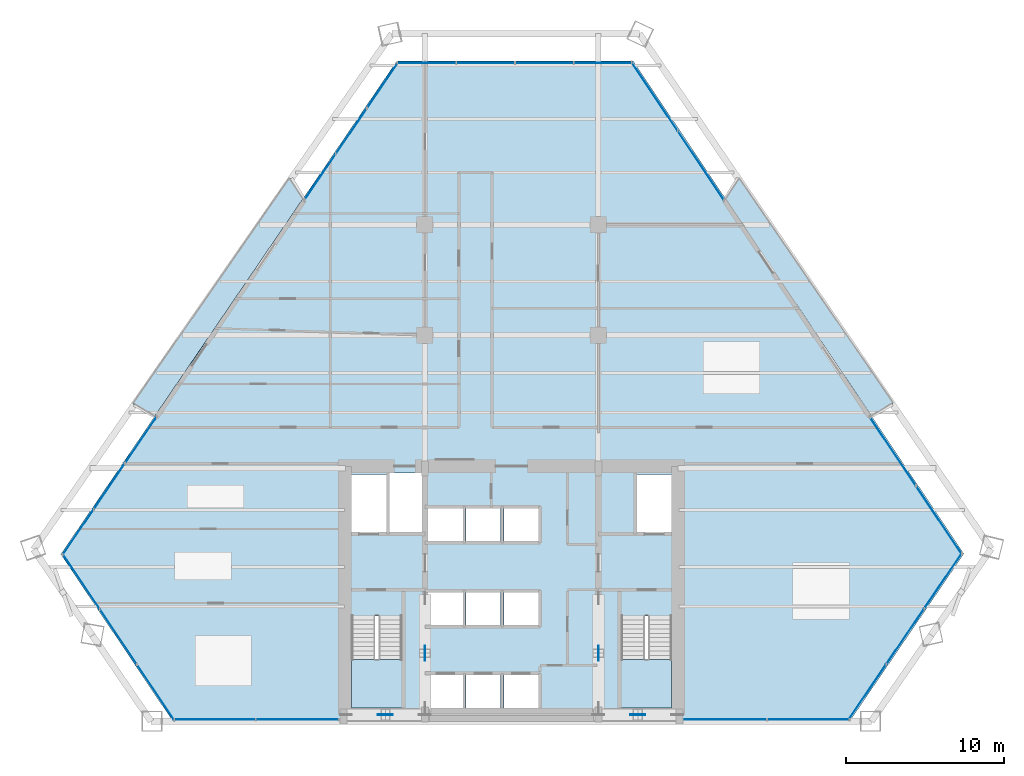
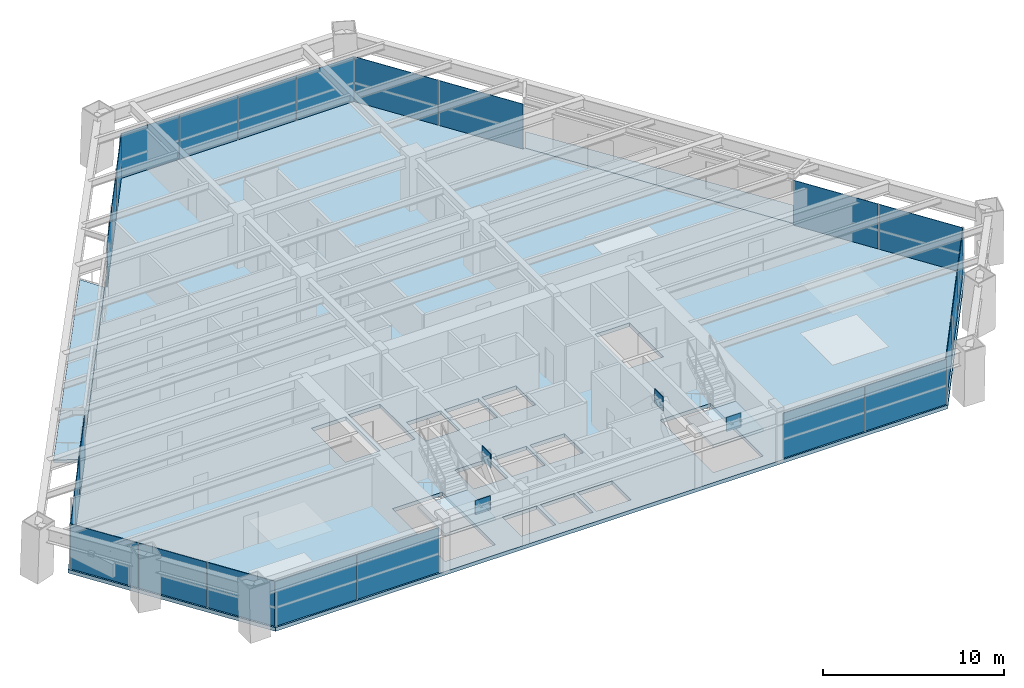
# One storey, part 9 of 14: 28 plates, 5 slabs, 11 elements without a shape of their own.
"""IFC4 building model written with IfcOpenShell, lengths in metres."""

import ifcopenshell
import ifcopenshell.guid

model = None  # the IFC model being written
_history = None  # IfcOwnerHistory: only IFC2X3 demands one
_inside = {}  # id of a spatial element -> (the spatial element, [elements in it])
_under = {}  # id of a project, library or spatial element -> (it, [spatial elements below it])
_declared = {}  # id of a project -> (the project, [libraries it declares])
_typed = {}  # id of a type object -> (the type object, [elements of that type])
_made_of = {}  # id of a material, layer set ... -> (it, [elements and type objects made of it])


def new_model(schema):
    """Start an empty IFC model of exactly this schema.

    Asked for "IFC4X3", IfcOpenShell would pick the latest addendum, in which some entities
    have other attributes; the version numbers below select the first issue.
    IFC2X3 requires an IfcOwnerHistory on every rooted entity: one is made here for all.
    """
    global model, _history
    if schema == "IFC4X3":
        model = ifcopenshell.file(schema_version=(4, 3, 0, 0))
    else:
        model = ifcopenshell.file(schema=schema)
    _inside.clear()
    _under.clear()
    _declared.clear()
    _typed.clear()
    _made_of.clear()
    _history = None
    if model.schema == "IFC2X3":
        org = make("IfcOrganization", Name="unknown")
        user = make(
            "IfcPersonAndOrganization",
            ThePerson=make("IfcPerson", FamilyName="unknown"),
            TheOrganization=org,
        )
        app = make(
            "IfcApplication",
            ApplicationDeveloper=org,
            Version="unknown",
            ApplicationFullName="unknown",
            ApplicationIdentifier="unknown",
        )
        _history = make(
            "IfcOwnerHistory",
            OwningUser=user,
            OwningApplication=app,
            ChangeAction="ADDED",
            CreationDate=0,
        )
    return model


def make(cls, **values):
    """One entity of the class cls with the attributes given. An attribute that is None is left unset."""
    return model.create_entity(
        cls, **{name: value for name, value in values.items() if value is not None}
    )


def rooted(cls, **values):
    """An entity with a GlobalId (a new one), such as an element, a storey or a relation."""
    return make(cls, GlobalId=ifcopenshell.guid.new(), OwnerHistory=_history, **values)


def si_unit(unit_type, name, prefix=None):
    """IfcSIUnit, for example si_unit("LENGTHUNIT", "METRE", prefix="MILLI")."""
    return make("IfcSIUnit", UnitType=unit_type, Prefix=prefix, Name=name)


def assignment(units):
    """IfcUnitAssignment: the units of a project."""
    return None if units is None else make("IfcUnitAssignment", Units=units)


def point(xyz):
    """IfcCartesianPoint."""
    return None if xyz is None else make("IfcCartesianPoint", Coordinates=xyz)


def direction(xyz):
    """IfcDirection."""
    return None if xyz is None else make("IfcDirection", DirectionRatios=xyz)


def frame(location, z_axis=None, x_axis=None):
    """IfcAxis2Placement3D, a coordinate frame: its origin and axes. An axis left out is left unset."""
    return make(
        "IfcAxis2Placement3D",
        Location=point(location),
        Axis=direction(z_axis),
        RefDirection=direction(x_axis),
    )


def frame_2d(location, x_axis=None):
    """IfcAxis2Placement2D, a coordinate frame in the plane: its origin and x axis."""
    return make(
        "IfcAxis2Placement2D", Location=point(location), RefDirection=direction(x_axis)
    )


def origin():
    """The frame at (0, 0, 0) with its axes left unset."""
    return frame((0.0, 0.0, 0.0))


def origin_2d():
    """The frame at (0, 0) in the plane with its x axis left unset."""
    return frame_2d((0.0, 0.0))


def place(relative_to, where):
    """IfcLocalPlacement: puts the frame where relative to a parent placement (None: the world)."""
    return make(
        "IfcLocalPlacement", PlacementRelTo=relative_to, RelativePlacement=where
    )


def context(
    kind, dimensions, precision=None, world=None, true_north=None, identifier=None
):
    """IfcGeometricRepresentationContext, for example the 3D "Model" context."""
    return make(
        "IfcGeometricRepresentationContext",
        ContextIdentifier=identifier,
        ContextType=kind,
        CoordinateSpaceDimension=dimensions,
        Precision=precision,
        WorldCoordinateSystem=world,
        TrueNorth=true_north,
    )


def subcontext(parent, identifier, kind, view, scale=None):
    """IfcGeometricRepresentationSubContext, for example "Body" below "Model"."""
    return make(
        "IfcGeometricRepresentationSubContext",
        ContextIdentifier=identifier,
        ContextType=kind,
        ParentContext=parent,
        TargetScale=scale,
        TargetView=view,
    )


def project(units=None, contexts=None):
    """IfcProject with its units and contexts."""
    return rooted(
        "IfcProject",
        Name="project",
        RepresentationContexts=contexts,
        UnitsInContext=assignment(units),
    )


def spatial(cls, under=None, at=None, **own):
    """A site, building, storey or space (cls), placed at a placement, below another one or the project."""
    s = rooted(cls, ObjectPlacement=at, **own)
    if under is not None:
        _under.setdefault(under.id(), (under, []))[1].append(s)
    return s


def polyline(points):
    """IfcPolyline through the points."""
    return make("IfcPolyline", Points=[point(p) for p in points])


def profile(cls, at=None, kind="AREA", **sizes):
    """A parametric profile (cls). Its sizes go by their IFC names, for example OverallWidth=200.0."""
    return make(cls, ProfileType=kind, Position=at, **sizes)


def rectangle(**sizes):
    """IfcRectangleProfileDef."""
    return profile("IfcRectangleProfileDef", **sizes)


def outline(outer, holes=None, kind="AREA"):
    """IfcArbitraryClosedProfileDef: a profile drawn as a closed curve; with holes, ...WithVoids."""
    if holes is None:
        return make("IfcArbitraryClosedProfileDef", ProfileType=kind, OuterCurve=outer)
    return make(
        "IfcArbitraryProfileDefWithVoids",
        ProfileType=kind,
        OuterCurve=outer,
        InnerCurves=holes,
    )


def extrude(swept, where, along, depth):
    """IfcExtrudedAreaSolid: the profile swept, set in the frame where, extruded along a direction by depth."""
    return make(
        "IfcExtrudedAreaSolid",
        SweptArea=swept,
        Position=where,
        ExtrudedDirection=direction(along),
        Depth=depth,
    )


def shape(context_of_items, identifier, shape_type, items):
    """IfcShapeRepresentation: the items that make up one representation, for example the "Body"."""
    return make(
        "IfcShapeRepresentation",
        ContextOfItems=context_of_items,
        RepresentationIdentifier=identifier,
        RepresentationType=shape_type,
        Items=items,
    )


def source(mapping_origin, context_of_items, identifier, shape_type, items):
    """IfcRepresentationMap: a shape defined once, which mapped items show again and again."""
    return make(
        "IfcRepresentationMap",
        MappingOrigin=mapping_origin,
        MappedRepresentation=shape(context_of_items, identifier, shape_type, items),
    )


def transform(
    local_origin,
    x_axis=None,
    y_axis=None,
    z_axis=None,
    scale=None,
    scale2=None,
    scale3=None,
    uniform=True,
):
    """IfcCartesianTransformationOperator3D, or its non-uniform kind. x_axis, y_axis, z_axis: its Axis1, 2, 3."""
    if uniform:
        return make(
            "IfcCartesianTransformationOperator3D",
            Axis1=direction(x_axis),
            Axis2=direction(y_axis),
            LocalOrigin=point(local_origin),
            Scale=scale,
            Axis3=direction(z_axis),
        )
    return make(
        "IfcCartesianTransformationOperator3DnonUniform",
        Axis1=direction(x_axis),
        Axis2=direction(y_axis),
        LocalOrigin=point(local_origin),
        Scale=scale,
        Axis3=direction(z_axis),
        Scale2=scale2,
        Scale3=scale3,
    )


def mapped(mapping_source, mapping_target):
    """IfcMappedItem: shows the shape of a source again, moved by a transform."""
    return make(
        "IfcMappedItem", MappingSource=mapping_source, MappingTarget=mapping_target
    )


def material(Name=None, Category=None):
    """IfcMaterial."""
    return make("IfcMaterial", Name=Name, Category=Category)


def layer(
    of_material, thickness, ventilated=None, Name=None, Category=None, Priority=None
):
    """IfcMaterialLayer: one layer of a wall or slab, of a material (None: an air gap)."""
    return make(
        "IfcMaterialLayer",
        Material=of_material,
        LayerThickness=thickness,
        IsVentilated=ventilated,
        Name=Name,
        Category=Category,
        Priority=Priority,
    )


def layer_set(layers, Name=None):
    """IfcMaterialLayerSet."""
    return make("IfcMaterialLayerSet", MaterialLayers=layers, LayerSetName=Name)


def made_of(thing, what):
    """Note that an element or type object is made of a material, layer set ...; save() writes the relation."""
    if what is not None:
        _made_of.setdefault(what.id(), (what, []))[1].append(thing)
    return thing


def type_object(cls, material=None, **own):
    """A type object (cls), such as IfcWallType, which elements share."""
    return made_of(rooted(cls, **own), material)


def element(
    cls,
    number,
    at=None,
    inside=None,
    cuts=None,
    type_object=None,
    material=None,
    context=None,
    identifier="Body",
    shape_type=None,
    held_by="IfcProductDefinitionShape",
    body=None,
    shapes=None,
    **own,
):
    """One element of the class cls, such as IfcWall. Its Tag is "e" and its number.

    at: its placement. inside: the storey or other place that contains it. cuts: it is an
    opening in that element (IfcRelVoidsElement). A single representation is given by context,
    identifier, shape_type and body (its items); several are given by shapes. held_by: the class
    of the entity that holds the representations. save() writes the other relations.
    """
    e = rooted(cls, Tag="e%d" % number, ObjectPlacement=at, **own)
    if body is not None:
        shapes = [shape(context, identifier, shape_type, body)]
    if shapes is not None:
        e.Representation = make(held_by, Representations=shapes)
    if inside is not None:
        _inside.setdefault(inside.id(), (inside, []))[1].append(e)
    if cuts is not None:
        rooted(
            "IfcRelVoidsElement", RelatingBuildingElement=cuts, RelatedOpeningElement=e
        )
    if type_object is not None:
        _typed.setdefault(type_object.id(), (type_object, []))[1].append(e)
    return made_of(e, material)


def aggregate(whole, parts):
    """IfcRelAggregates: a whole, such as a stair, and the parts it consists of."""
    return rooted("IfcRelAggregates", RelatingObject=whole, RelatedObjects=parts)


def save(model, path):
    """Write the relations noted so far, then the file.

    IfcRelAggregates (storeys below a building ...), IfcRelContainedInSpatialStructure (elements
    in a storey), IfcRelDefinesByType, IfcRelAssociatesMaterial and IfcRelDeclares: one each for
    every whole, place, type object, material and project.
    """
    for whole, parts in _under.values():
        aggregate(whole, parts)
    for where, things in _inside.values():
        rooted(
            "IfcRelContainedInSpatialStructure",
            RelatedElements=things,
            RelatingStructure=where,
        )
    for kind, things in _typed.values():
        rooted("IfcRelDefinesByType", RelatedObjects=things, RelatingType=kind)
    for what, things in _made_of.values():
        rooted("IfcRelAssociatesMaterial", RelatedObjects=things, RelatingMaterial=what)
    for by, libraries in _declared.values():
        rooted("IfcRelDeclares", RelatingContext=by, RelatedDefinitions=libraries)
    model.write(path)


model = new_model("IFC4")

# Units and contexts
model_context = context("Model", 3, precision=1e-05, world=origin(), true_north=direction((0.0, 1.0)))
body_context = subcontext(model_context, "Body", "Model", "MODEL_VIEW")
ifc_project = project(units=[si_unit("LENGTHUNIT", "METRE"), si_unit("AREAUNIT", "SQUARE_METRE"), si_unit("VOLUMEUNIT", "CUBIC_METRE"), si_unit("PLANEANGLEUNIT", "RADIAN"), si_unit("MASSUNIT", "GRAM", prefix="KILO")], contexts=[model_context])

# Site, building, storey
site_placement = place(None, origin())
site = spatial("IfcSite", under=ifc_project, at=site_placement, CompositionType="ELEMENT")
building_placement = place(site_placement, origin())
building = spatial("IfcBuilding", under=site, at=building_placement, Name="Varnakhor Terracotta Tower", CompositionType="ELEMENT")
storey_placement = place(building_placement, frame((0.0, 0.0, 46.0)))
storey = spatial("IfcBuildingStorey", under=building, at=storey_placement, Name="L10", CompositionType="ELEMENT", Elevation=46.0)

# Stair, slab
ifc_material_1 = material(Name="Concrete C40/50", Category="concrete")
stair_type = type_object("IfcStairType", Name="STR-CORE-OFFICE-1500", PredefinedType="HALF_TURN_STAIR", material=ifc_material_1)
stair_1_placement = place(storey_placement, origin())
stair_1 = element("IfcStair", 1, at=stair_1_placement, inside=storey, type_object=stair_type, Name="L10 Core Exit Stair ST-1", PredefinedType="HALF_TURN_STAIR")
ifc_layer_1 = layer(ifc_material_1, 0.179931640625, Name="Concrete C40/50")
ifc_layer_set_1 = layer_set([ifc_layer_1], Name="Concrete C40/50")
slab_type_1 = type_object("IfcSlabType", Name="SLB-LANDING-180", PredefinedType="LANDING", material=ifc_layer_set_1)
slab_1_placement = place(storey_placement, frame((0.0, 0.0, 1.64990234375)))
slab_1 = element("IfcSlab", 2, at=slab_1_placement, type_object=slab_type_1, Name="ST-1 landing 1", PredefinedType="LANDING", context=body_context, shape_type="SweptSolid", body=[
    extrude(outline(polyline([(-10.14990234375, 3.909912109375), (-10.14990234375, 0.85009765625), (-6.949951171875, 0.85009765625), (-6.949951171875, 3.909912109375), (-10.14990234375, 3.909912109375)])), origin(), (0.0, 0.0, 1.0), 0.2001953125),
])
aggregate(stair_1, [slab_1])

stair_2_placement = place(storey_placement, origin())
stair_2 = element("IfcStair", 3, at=stair_2_placement, inside=storey, type_object=stair_type, Name="L10 Core Exit Stair ST-2", PredefinedType="HALF_TURN_STAIR")
slab_2_placement = place(storey_placement, frame((0.0, 0.0, 1.64990234375)))
slab_2 = element("IfcSlab", 4, at=slab_2_placement, type_object=slab_type_1, Name="ST-2 landing 1", PredefinedType="LANDING", context=body_context, shape_type="SweptSolid", body=[
    extrude(outline(polyline([(6.949951171875, 3.909912109375), (6.949951171875, 0.85009765625), (10.14990234375, 0.85009765625), (10.14990234375, 3.909912109375), (6.949951171875, 3.909912109375)])), origin(), (0.0, 0.0, 1.0), 0.2001953125),
])
aggregate(stair_2, [slab_2])

# Slabs
ifc_layer_2 = layer(ifc_material_1, 0.195068359375, Name="Concrete C40/50")
ifc_layer_set_2 = layer_set([ifc_layer_2], Name="Concrete C40/50")
slab_type_2 = type_object("IfcSlabType", Name="SLB-LOGGIA-EXT-195", PredefinedType="FLOOR", material=ifc_layer_set_2)
slab_3_placement = place(storey_placement, frame((0.0, 0.0, -0.195068359375)))
element("IfcSlab", 5, at=slab_3_placement, inside=storey, type_object=slab_type_2, Name="L10 E Recessed Outdoor Loggia Slab", PredefinedType="FLOOR", context=body_context, shape_type="SweptSolid", body=[
    extrude(outline(polyline([(14.40087890625, 34.4765625), (24.20068359375, 20.169189453125), (22.805908203125, 19.38232421875), (18.191650390625, 26.2568359375), (13.5771484375, 33.131591796875), (14.40087890625, 34.4765625)])), origin(), (0.0, 0.0, 1.0), 0.195068359375),
])
slab_4_placement = place(storey_placement, frame((0.0, 0.0, -0.195068359375)))
element("IfcSlab", 6, at=slab_4_placement, inside=storey, type_object=slab_type_2, Name="L10 W Recessed Outdoor Loggia Slab", PredefinedType="FLOOR", context=body_context, shape_type="SweptSolid", body=[
    extrude(outline(polyline([(-24.02197265625, 20.143798828125), (-14.072021484375, 34.466796875), (-13.247802734375, 33.1220703125), (-20.471435546875, 22.5205078125), (-22.626220703125, 19.35791015625), (-24.02197265625, 20.143798828125)])), origin(), (0.0, 0.0, 1.0), 0.195068359375),
])
ifc_layer_3 = layer(ifc_material_1, 0.25, Name="Concrete C40/50")
ifc_layer_set_3 = layer_set([ifc_layer_3], Name="Concrete C40/50")
slab_type_3 = type_object("IfcSlabType", Name="SLB-OFF-250", PredefinedType="FLOOR", material=ifc_layer_set_3)
slab_5_placement = place(storey_placement, frame((0.0, 0.0, -0.25)))
element("IfcSlab", 7, at=slab_5_placement, inside=storey, type_object=slab_type_3, Name="L10 Structural Floor Slab", PredefinedType="FLOOR", context=body_context, shape_type="SweptSolid", body=[
    extrude(outline(polyline([(-28.593994140625, 10.59912109375), (-7.27978515625, 41.881103515625), (7.704345703125, 41.881103515625), (28.678955078125, 10.6328125), (21.43408203125, 0.0), (-21.479736328125, 0.0), (-28.593994140625, 10.59912109375)]), holes=[polyline([(-3.10009765625, 0.85009765625), (-3.10009765625, 2.949951171875), (-5.300048828125, 2.949951171875), (-5.300048828125, 0.85009765625), (-3.10009765625, 0.85009765625)]), polyline([(-2.8798828125, 0.85009765625), (-0.719970703125, 0.85009765625), (-0.719970703125, 2.949951171875), (-2.8798828125, 2.949951171875), (-2.8798828125, 0.85009765625)]), polyline([(-10.14990234375, 0.85009765625), (-6.949951171875, 0.85009765625), (-6.949951171875, 6.695068359375), (-10.14990234375, 6.695068359375), (-10.14990234375, 0.85009765625)]), polyline([(-5.300048828125, 6.10009765625), (-3.10009765625, 6.10009765625), (-3.10009765625, 8.199951171875), (-5.300048828125, 8.199951171875), (-5.300048828125, 6.10009765625)]), polyline([(-5.300048828125, 11.419921875), (-3.10009765625, 11.419921875), (-3.10009765625, 13.52001953125), (-5.300048828125, 13.52001953125), (-5.300048828125, 11.419921875)]), polyline([(-10.14990234375, 11.8798828125), (-7.949951171875, 11.8798828125), (-7.949951171875, 15.64990234375), (-10.14990234375, 15.64990234375), (-10.14990234375, 11.8798828125)]), polyline([(-7.72998046875, 11.8798828125), (-5.699951171875, 11.8798828125), (-5.699951171875, 15.75), (-7.72998046875, 15.75), (-7.72998046875, 11.8798828125)]), polyline([(1.699951171875, 0.85009765625), (1.699951171875, 2.949951171875), (-0.5, 2.949951171875), (-0.5, 0.85009765625), (1.699951171875, 0.85009765625)]), polyline([(6.949951171875, 0.85009765625), (10.14990234375, 0.85009765625), (10.14990234375, 6.695068359375), (6.949951171875, 6.695068359375), (6.949951171875, 0.85009765625)]), polyline([(-2.8798828125, 6.10009765625), (-0.719970703125, 6.10009765625), (-0.719970703125, 8.199951171875), (-2.8798828125, 8.199951171875), (-2.8798828125, 6.10009765625)]), polyline([(-0.5, 6.10009765625), (1.699951171875, 6.10009765625), (1.699951171875, 8.199951171875), (-0.5, 8.199951171875), (-0.5, 6.10009765625)]), polyline([(-2.8798828125, 11.419921875), (-0.719970703125, 11.419921875), (-0.719970703125, 13.52001953125), (-2.8798828125, 13.52001953125), (-2.8798828125, 11.419921875)]), polyline([(-0.5, 11.419921875), (1.699951171875, 11.419921875), (1.699951171875, 13.52001953125), (-0.5, 13.52001953125), (-0.5, 11.419921875)]), polyline([(7.949951171875, 11.8798828125), (10.14990234375, 11.8798828125), (10.14990234375, 15.64990234375), (7.949951171875, 15.64990234375), (7.949951171875, 11.8798828125)])]), origin(), (0.0, 0.0, 1.0), 0.25),
])

# Plates
ifc_material_2 = material(Name="Steel S460", Category="steel")
ifc_layer_4 = layer(ifc_material_2, 0.050048828125, Name="Steel S460")
ifc_layer_set_4 = layer_set([ifc_layer_4], Name="Steel S460")
plate_type_1 = type_object("IfcPlateType", Name="PLT-GUSSET-50", PredefinedType="USERDEFINED", material=ifc_layer_set_4)
shared_shape_1 = source(origin(), body_context, "Body", "SweptSolid", [
    extrude(rectangle(XDim=0.949951171875, YDim=0.044921875, at=origin_2d()), origin(), (0.0, 0.0, 1.0), 0.949951171875),
])
for number, where, z_axis, x_axis, name in (
    (8, (-8.0, 0.419921875, 2.8251953125), (0.0, 0.0, 1.0), (1.0, 0.0, 0.0), "L10 Core Brace Apex Gusset CSW"),
    (9, (8.0, 0.419921875, 2.8251953125), (0.0, 0.0, 1.0), (1.0, 0.0, 0.0), "L10 Core Brace Apex Gusset CSE"),
    (10, (-5.5, 4.324951171875, 2.8251953125), (0.0, 0.0, 1.0), (0.0, 1.0, 0.0), "L10 Core Brace Apex Gusset CWW"),
    (11, (5.5, 4.324951171875, 2.8251953125), (0.0, 0.0, 1.0), (0.0, 1.0, 0.0), "L10 Core Brace Apex Gusset CWE"),
):
    element("IfcPlate", number, at=place(storey_placement, frame(where, z_axis=z_axis, x_axis=x_axis)), inside=storey, type_object=plate_type_1, Name=name, ObjectType="GUSSET PLATE", PredefinedType="USERDEFINED", context=body_context, shape_type="MappedRepresentation", body=[
        mapped(shared_shape_1, transform((0.0, 0.0, 0.0), scale=1.0)),
    ])

# Curtain wall, plates
ifc_material_3 = material(Name="Anodised Aluminium Curtain Wall System", Category="aluminium")
curtain_wall_type = type_object("IfcCurtainWallType", Name="CW-SYS-LOW-OFFICE", PredefinedType="NOTDEFINED", material=ifc_material_3)
curtain_wall_1_placement = place(storey_placement, origin())
curtain_wall_1 = element("IfcCurtainWall", 12, at=curtain_wall_1_placement, inside=storey, type_object=curtain_wall_type, Name="L10 W Facet Curtain Wall 1", PredefinedType="NOTDEFINED")
ifc_material_4 = material(Name="Solar-Control Low-E Insulated Glass Panel", Category="glass")
ifc_layer_5 = layer(ifc_material_4, 0.0380859375, Name="Solar-Control Low-E Insulated Glass Panel")
ifc_layer_set_5 = layer_set([ifc_layer_5], Name="Solar-Control Low-E Insulated Glass Panel")
plate_type_2 = type_object("IfcPlateType", Name="CWP-02", PredefinedType="CURTAIN_PANEL", material=ifc_layer_set_5)
shared_shape_2 = source(origin(), body_context, "Body", "SweptSolid", [
    extrude(rectangle(XDim=3.472900390625, YDim=0.035888671875, at=origin_2d()), origin(), (0.0, 0.0, 1.0), 3.030029296875),
])
plate_1_placement = place(storey_placement, frame((-27.489013671875, 12.0078125, 0.0), z_axis=(0.0, 0.0, 1.0), x_axis=(0.563079004286, 0.8264030705, 0.0)))
plate_1 = element("IfcPlate", 13, at=plate_1_placement, type_object=plate_type_2, Name="L10 W Facet Curtain Wall 1 Glazed Panel 1", PredefinedType="CURTAIN_PANEL", context=body_context, shape_type="MappedRepresentation", body=[
    mapped(shared_shape_2, transform((0.0, 0.0, 0.0), scale=1.0)),
])
plate_2_placement = place(storey_placement, frame((-25.510986328125, 14.910888671875, 0.0), z_axis=(0.0, 0.0, 1.0), x_axis=(0.563079004286, 0.8264030705, 0.0)))
plate_2 = element("IfcPlate", 14, at=plate_2_placement, type_object=plate_type_2, Name="L10 W Facet Curtain Wall 1 Glazed Panel 2", PredefinedType="CURTAIN_PANEL", context=body_context, shape_type="MappedRepresentation", body=[
    mapped(shared_shape_2, transform((0.0, 0.0, 0.0), scale=1.0)),
])
plate_3_placement = place(storey_placement, frame((-23.53271484375, 17.814208984375, 0.0), z_axis=(0.0, 0.0, 1.0), x_axis=(0.563079004286, 0.8264030705, 0.0)))
plate_3 = element("IfcPlate", 15, at=plate_3_placement, type_object=plate_type_2, Name="L10 W Facet Curtain Wall 1 Glazed Panel 3", PredefinedType="CURTAIN_PANEL", context=body_context, shape_type="MappedRepresentation", body=[
    mapped(shared_shape_2, transform((0.0, 0.0, 0.0), scale=1.0)),
])
aggregate(curtain_wall_1, [plate_1, plate_2, plate_3])

curtain_wall_2_placement = place(storey_placement, origin())
curtain_wall_2 = element("IfcCurtainWall", 16, at=curtain_wall_2_placement, inside=storey, type_object=curtain_wall_type, Name="L10 W Facet Curtain Wall 2", PredefinedType="NOTDEFINED")
plate_4_placement = place(storey_placement, frame((-12.142578125, 34.531005859375, 0.0), z_axis=(0.0, 0.0, 1.0), x_axis=(0.563079004286, 0.8264030705, 0.0)))
plate_4 = element("IfcPlate", 17, at=plate_4_placement, type_object=plate_type_2, Name="L10 W Facet Curtain Wall 2 Glazed Panel 1", PredefinedType="CURTAIN_PANEL", context=body_context, shape_type="MappedRepresentation", body=[
    mapped(shared_shape_2, transform((0.0, 0.0, 0.0), scale=1.0)),
])
plate_5_placement = place(storey_placement, frame((-10.16455078125, 37.433837890625, 0.0), z_axis=(0.0, 0.0, 1.0), x_axis=(0.563079004286, 0.8264030705, 0.0)))
plate_5 = element("IfcPlate", 18, at=plate_5_placement, type_object=plate_type_2, Name="L10 W Facet Curtain Wall 2 Glazed Panel 2", PredefinedType="CURTAIN_PANEL", context=body_context, shape_type="MappedRepresentation", body=[
    mapped(shared_shape_2, transform((0.0, 0.0, 0.0), scale=1.0)),
])
plate_6_placement = place(storey_placement, frame((-8.1865234375, 40.337158203125, 0.0), z_axis=(0.0, 0.0, 1.0), x_axis=(0.563079004286, 0.8264030705, 0.0)))
plate_6 = element("IfcPlate", 19, at=plate_6_placement, type_object=plate_type_2, Name="L10 W Facet Curtain Wall 2 Glazed Panel 3", PredefinedType="CURTAIN_PANEL", context=body_context, shape_type="MappedRepresentation", body=[
    mapped(shared_shape_2, transform((0.0, 0.0, 0.0), scale=1.0)),
])
aggregate(curtain_wall_2, [plate_4, plate_5, plate_6])

curtain_wall_3_placement = place(storey_placement, origin())
curtain_wall_3 = element("IfcCurtainWall", 20, at=curtain_wall_3_placement, inside=storey, type_object=curtain_wall_type, Name="L10 Facet Curtain Wall 2", PredefinedType="NOTDEFINED")
shared_shape_3 = source(origin(), body_context, "Body", "SweptSolid", [
    extrude(rectangle(XDim=3.69091796875, YDim=0.035888671875, at=origin_2d()), origin(), (0.0, 0.0, 1.0), 3.030029296875),
])
plate_7_placement = place(storey_placement, frame((-5.38427734375, 41.760986328125, 0.0), z_axis=(0.0, 0.0, 1.0), x_axis=(1.0, 0.0, 0.0)))
plate_7 = element("IfcPlate", 21, at=plate_7_placement, type_object=plate_type_2, Name="L10 Facet Curtain Wall 2 Glazed Panel 1", PredefinedType="CURTAIN_PANEL", context=body_context, shape_type="MappedRepresentation", body=[
    mapped(shared_shape_3, transform((0.0, 0.0, 0.0), scale=1.0)),
])
plate_8_placement = place(storey_placement, frame((2.077880859375, 41.760986328125, 0.0), z_axis=(0.0, 0.0, 1.0), x_axis=(1.0, 0.0, 0.0)))
plate_8 = element("IfcPlate", 22, at=plate_8_placement, type_object=plate_type_2, Name="L10 Facet Curtain Wall 2 Glazed Panel 3", PredefinedType="CURTAIN_PANEL", context=body_context, shape_type="MappedRepresentation", body=[
    mapped(shared_shape_3, transform((0.0, 0.0, 0.0), scale=1.0)),
])
plate_9_placement = place(storey_placement, frame((5.808837890625, 41.760986328125, 0.0), z_axis=(0.0, 0.0, 1.0), x_axis=(1.0, 0.0, 0.0)))
plate_9 = element("IfcPlate", 23, at=plate_9_placement, type_object=plate_type_2, Name="L10 Facet Curtain Wall 2 Glazed Panel 4", PredefinedType="CURTAIN_PANEL", context=body_context, shape_type="MappedRepresentation", body=[
    mapped(shared_shape_3, transform((0.0, 0.0, 0.0), scale=1.0)),
])
shared_shape_4 = source(origin(), body_context, "Body", "SweptSolid", [
    extrude(rectangle(XDim=3.691162109375, YDim=0.035888671875, at=origin_2d()), origin(), (0.0, 0.0, 1.0), 3.030029296875),
])
plate_10_placement = place(storey_placement, frame((-1.6533203125, 41.760986328125, 0.0), z_axis=(0.0, 0.0, 1.0), x_axis=(1.0, 0.0, 0.0)))
plate_10 = element("IfcPlate", 24, at=plate_10_placement, type_object=plate_type_2, Name="L10 Facet Curtain Wall 2 Glazed Panel 2", PredefinedType="CURTAIN_PANEL", context=body_context, shape_type="MappedRepresentation", body=[
    mapped(shared_shape_4, transform((0.0, 0.0, 0.0), scale=1.0)),
])
aggregate(curtain_wall_3, [plate_7, plate_10, plate_8, plate_9])

# Curtain wall, plate
curtain_wall_4_placement = place(storey_placement, origin())
curtain_wall_4 = element("IfcCurtainWall", 25, at=curtain_wall_4_placement, inside=storey, type_object=curtain_wall_type, Name="L10 E Facet Curtain Wall 1", PredefinedType="NOTDEFINED")
shared_shape_5 = source(origin(), body_context, "Body", "SweptSolid", [
    extrude(rectangle(XDim=5.19873046875, YDim=0.035888671875, at=origin_2d()), origin(), (0.0, 0.0, 1.0), 3.030029296875),
])
plate_11_placement = place(storey_placement, frame((9.081298828125, 39.6142578125, 0.0), z_axis=(0.0, 0.0, 1.0), x_axis=(0.557324930586, -0.830294478933, 0.0)))
plate_11 = element("IfcPlate", 26, at=plate_11_placement, type_object=plate_type_2, Name="L10 E Facet Curtain Wall 1 Glazed Panel 1", PredefinedType="CURTAIN_PANEL", context=body_context, shape_type="MappedRepresentation", body=[
    mapped(shared_shape_5, transform((0.0, 0.0, 0.0), scale=1.0)),
])

curtain_wall_5_placement = place(storey_placement, origin())
curtain_wall_5 = element("IfcCurtainWall", 27, at=curtain_wall_5_placement, inside=storey, type_object=curtain_wall_type, Name="L10 E Facet Curtain Wall 2", PredefinedType="NOTDEFINED")
plate_12_placement = place(storey_placement, frame((24.182861328125, 17.115478515625, 0.0), z_axis=(0.0, 0.0, 1.0), x_axis=(0.557324930586, -0.830294478933, 0.0)))
plate_12 = element("IfcPlate", 28, at=plate_12_placement, type_object=plate_type_2, Name="L10 E Facet Curtain Wall 2 Glazed Panel 1", PredefinedType="CURTAIN_PANEL", context=body_context, shape_type="MappedRepresentation", body=[
    mapped(shared_shape_5, transform((0.0, 0.0, 0.0), scale=1.0)),
])

# Plate
shared_shape_6 = source(origin(), body_context, "Body", "SweptSolid", [
    extrude(rectangle(XDim=5.198974609375, YDim=0.035888671875, at=origin_2d()), origin(), (0.0, 0.0, 1.0), 3.030029296875),
])
plate_13_placement = place(storey_placement, frame((12.0009765625, 35.264404296875, 0.0), z_axis=(0.0, 0.0, 1.0), x_axis=(0.557324930586, -0.830294478933, 0.0)))
plate_13 = element("IfcPlate", 29, at=plate_13_placement, type_object=plate_type_2, Name="L10 E Facet Curtain Wall 1 Glazed Panel 2", PredefinedType="CURTAIN_PANEL", context=body_context, shape_type="MappedRepresentation", body=[
    mapped(shared_shape_6, transform((0.0, 0.0, 0.0), scale=1.0)),
])

aggregate(curtain_wall_4, [plate_11, plate_13])

plate_14_placement = place(storey_placement, frame((27.102783203125, 12.765869140625, 0.0), z_axis=(0.0, 0.0, 1.0), x_axis=(0.557324930586, -0.830294478933, 0.0)))
plate_14 = element("IfcPlate", 30, at=plate_14_placement, type_object=plate_type_2, Name="L10 E Facet Curtain Wall 2 Glazed Panel 2", PredefinedType="CURTAIN_PANEL", context=body_context, shape_type="MappedRepresentation", body=[
    mapped(shared_shape_6, transform((0.0, 0.0, 0.0), scale=1.0)),
])

aggregate(curtain_wall_5, [plate_12, plate_14])

# Curtain wall, plates
curtain_wall_6_placement = place(storey_placement, origin())
curtain_wall_6 = element("IfcCurtainWall", 31, at=curtain_wall_6_placement, inside=storey, type_object=curtain_wall_type, Name="L10 Facet Curtain Wall 4", PredefinedType="NOTDEFINED")
shared_shape_7 = source(origin(), body_context, "Body", "SweptSolid", [
    extrude(rectangle(XDim=4.228759765625, YDim=0.035888671875, at=origin_2d()), origin(), (0.0, 0.0, 1.0), 3.030029296875),
])
plate_15_placement = place(storey_placement, frame((27.361083984375, 8.91162109375, 0.0), z_axis=(0.0, 0.0, 1.0), x_axis=(-0.563079004286, -0.8264030705, 0.0)))
plate_15 = element("IfcPlate", 32, at=plate_15_placement, type_object=plate_type_2, Name="L10 Facet Curtain Wall 4 Glazed Panel 1", PredefinedType="CURTAIN_PANEL", context=body_context, shape_type="MappedRepresentation", body=[
    mapped(shared_shape_7, transform((0.0, 0.0, 0.0), scale=1.0)),
])
plate_16_placement = place(storey_placement, frame((24.95751953125, 5.384033203125, 0.0), z_axis=(0.0, 0.0, 1.0), x_axis=(-0.563079004286, -0.8264030705, 0.0)))
plate_16 = element("IfcPlate", 33, at=plate_16_placement, type_object=plate_type_2, Name="L10 Facet Curtain Wall 4 Glazed Panel 2", PredefinedType="CURTAIN_PANEL", context=body_context, shape_type="MappedRepresentation", body=[
    mapped(shared_shape_7, transform((0.0, 0.0, 0.0), scale=1.0)),
])
plate_17_placement = place(storey_placement, frame((22.5537109375, 1.856201171875, 0.0), z_axis=(0.0, 0.0, 1.0), x_axis=(-0.563079004286, -0.8264030705, 0.0)))
plate_17 = element("IfcPlate", 34, at=plate_17_placement, type_object=plate_type_2, Name="L10 Facet Curtain Wall 4 Glazed Panel 3", PredefinedType="CURTAIN_PANEL", context=body_context, shape_type="MappedRepresentation", body=[
    mapped(shared_shape_7, transform((0.0, 0.0, 0.0), scale=1.0)),
])
aggregate(curtain_wall_6, [plate_15, plate_16, plate_17])

curtain_wall_7_placement = place(storey_placement, origin())
curtain_wall_7 = element("IfcCurtainWall", 35, at=curtain_wall_7_placement, inside=storey, type_object=curtain_wall_type, Name="L10 South Wing Curtain Wall SSE", PredefinedType="NOTDEFINED")
shared_shape_8 = source(origin(), body_context, "Body", "SweptSolid", [
    extrude(rectangle(XDim=5.18701171875, YDim=0.035888671875, at=origin_2d()), origin(), (0.0, 0.0, 1.0), 3.030029296875),
])
plate_18_placement = place(storey_placement, frame((18.810546875, 0.1201171875, 0.0), z_axis=(0.0, 0.0, 1.0), x_axis=(-1.0, 0.0, 0.0)))
plate_18 = element("IfcPlate", 36, at=plate_18_placement, type_object=plate_type_2, Name="L10 South Wing Curtain Wall SSE Glazed Panel 1", PredefinedType="CURTAIN_PANEL", context=body_context, shape_type="MappedRepresentation", body=[
    mapped(shared_shape_8, transform((0.0, 0.0, 0.0), scale=1.0)),
])
plate_19_placement = place(storey_placement, frame((13.58349609375, 0.1201171875, 0.0), z_axis=(0.0, 0.0, 1.0), x_axis=(-1.0, 0.0, 0.0)))
plate_19 = element("IfcPlate", 37, at=plate_19_placement, type_object=plate_type_2, Name="L10 South Wing Curtain Wall SSE Glazed Panel 2", PredefinedType="CURTAIN_PANEL", context=body_context, shape_type="MappedRepresentation", body=[
    mapped(shared_shape_8, transform((0.0, 0.0, 0.0), scale=1.0)),
])
aggregate(curtain_wall_7, [plate_18, plate_19])

curtain_wall_8_placement = place(storey_placement, origin())
curtain_wall_8 = element("IfcCurtainWall", 38, at=curtain_wall_8_placement, inside=storey, type_object=curtain_wall_type, Name="L10 South Wing Curtain Wall SSW", PredefinedType="NOTDEFINED")
shared_shape_9 = source(origin(), body_context, "Body", "SweptSolid", [
    extrude(rectangle(XDim=5.2099609375, YDim=0.035888671875, at=origin_2d()), origin(), (0.0, 0.0, 1.0), 3.030029296875),
])
plate_20_placement = place(storey_placement, frame((-13.594970703125, 0.1201171875, 0.0), z_axis=(0.0, 0.0, 1.0), x_axis=(-1.0, 0.0, 0.0)))
plate_20 = element("IfcPlate", 39, at=plate_20_placement, type_object=plate_type_2, Name="L10 South Wing Curtain Wall SSW Glazed Panel 1", PredefinedType="CURTAIN_PANEL", context=body_context, shape_type="MappedRepresentation", body=[
    mapped(shared_shape_9, transform((0.0, 0.0, 0.0), scale=1.0)),
])
plate_21_placement = place(storey_placement, frame((-18.844970703125, 0.1201171875, 0.0), z_axis=(0.0, 0.0, 1.0), x_axis=(-1.0, 0.0, 0.0)))
plate_21 = element("IfcPlate", 40, at=plate_21_placement, type_object=plate_type_2, Name="L10 South Wing Curtain Wall SSW Glazed Panel 2", PredefinedType="CURTAIN_PANEL", context=body_context, shape_type="MappedRepresentation", body=[
    mapped(shared_shape_9, transform((0.0, 0.0, 0.0), scale=1.0)),
])
aggregate(curtain_wall_8, [plate_20, plate_21])

curtain_wall_9_placement = place(storey_placement, origin())
curtain_wall_9 = element("IfcCurtainWall", 41, at=curtain_wall_9_placement, inside=storey, type_object=curtain_wall_type, Name="L10 Facet Curtain Wall 6", PredefinedType="NOTDEFINED")
shared_shape_10 = source(origin(), body_context, "Body", "SweptSolid", [
    extrude(rectangle(XDim=4.195068359375, YDim=0.035888671875, at=origin_2d()), origin(), (0.0, 0.0, 1.0), 3.030029296875),
])
plate_22_placement = place(storey_placement, frame((-22.576904296875, 1.85009765625, 0.0), z_axis=(0.0, 0.0, 1.0), x_axis=(-0.557310439129, 0.830304205962, 0.0)))
plate_22 = element("IfcPlate", 42, at=plate_22_placement, type_object=plate_type_2, Name="L10 Facet Curtain Wall 6 Glazed Panel 1", PredefinedType="CURTAIN_PANEL", context=body_context, shape_type="MappedRepresentation", body=[
    mapped(shared_shape_10, transform((0.0, 0.0, 0.0), scale=1.0)),
])
plate_23_placement = place(storey_placement, frame((-24.9375, 5.366455078125, 0.0), z_axis=(0.0, 0.0, 1.0), x_axis=(-0.557310439129, 0.830304205962, 0.0)))
plate_23 = element("IfcPlate", 43, at=plate_23_placement, type_object=plate_type_2, Name="L10 Facet Curtain Wall 6 Glazed Panel 2", PredefinedType="CURTAIN_PANEL", context=body_context, shape_type="MappedRepresentation", body=[
    mapped(shared_shape_10, transform((0.0, 0.0, 0.0), scale=1.0)),
])
plate_24_placement = place(storey_placement, frame((-27.297607421875, 8.8828125, 0.0), z_axis=(0.0, 0.0, 1.0), x_axis=(-0.557310439129, 0.830304205962, 0.0)))
plate_24 = element("IfcPlate", 44, at=plate_24_placement, type_object=plate_type_2, Name="L10 Facet Curtain Wall 6 Glazed Panel 3", PredefinedType="CURTAIN_PANEL", context=body_context, shape_type="MappedRepresentation", body=[
    mapped(shared_shape_10, transform((0.0, 0.0, 0.0), scale=1.0)),
])
aggregate(curtain_wall_9, [plate_22, plate_23, plate_24])

save(model, "model.ifc")
